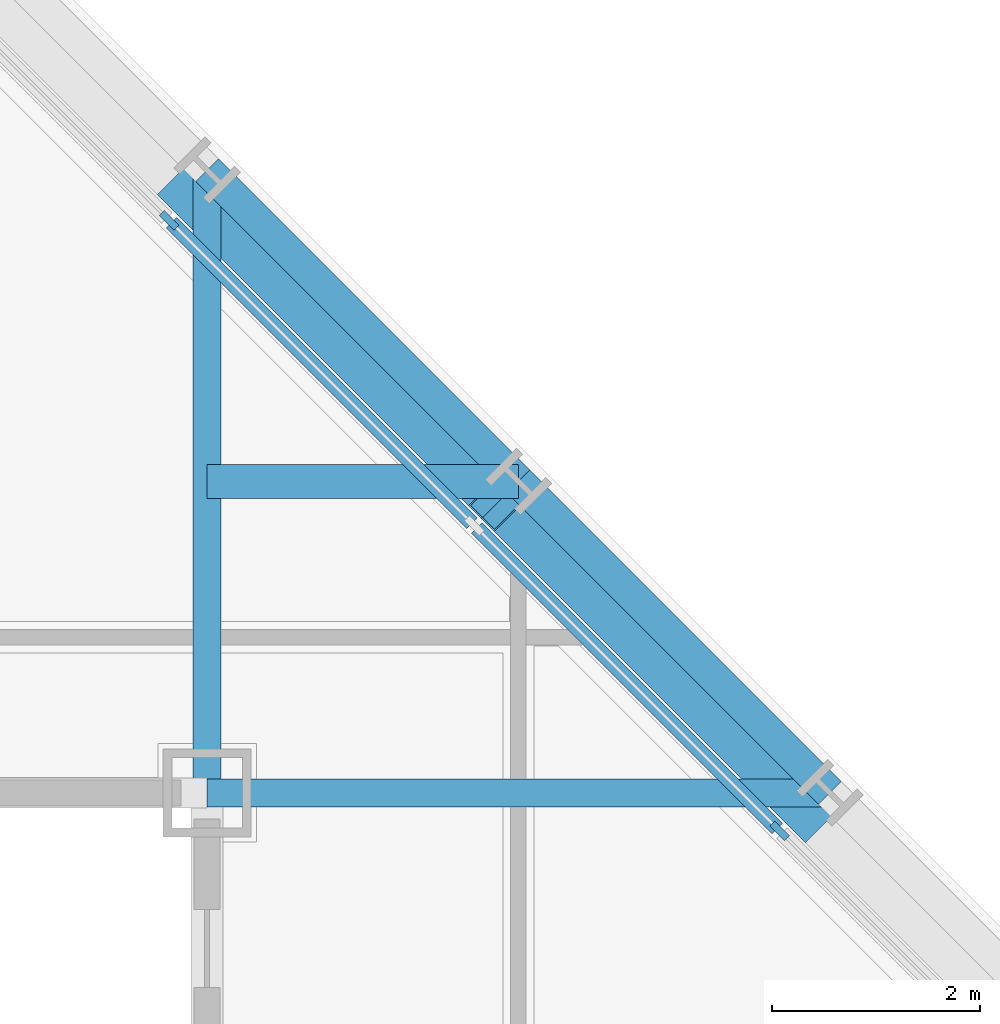
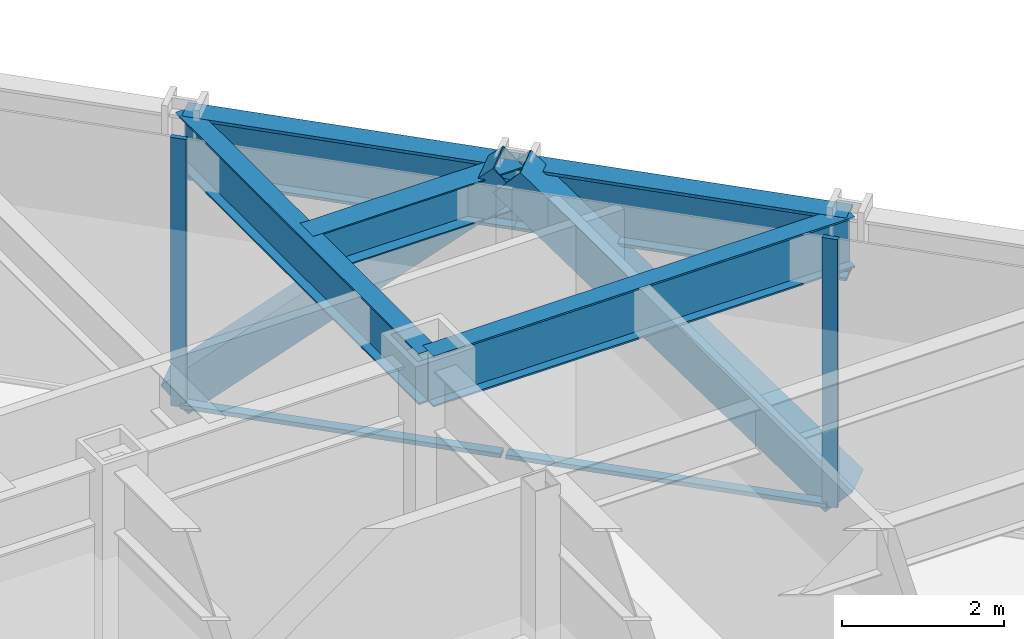
# One storey, part 8 of 16: 6 members, 5 beams, 1 element without a shape of its own.
"""IFC4 building model written with IfcOpenShell, lengths in metres."""

import ifcopenshell
import ifcopenshell.guid

model = None  # the IFC model being written
_history = None  # IfcOwnerHistory: only IFC2X3 demands one
_inside = {}  # id of a spatial element -> (the spatial element, [elements in it])
_under = {}  # id of a project, library or spatial element -> (it, [spatial elements below it])
_declared = {}  # id of a project -> (the project, [libraries it declares])
_typed = {}  # id of a type object -> (the type object, [elements of that type])
_made_of = {}  # id of a material, layer set ... -> (it, [elements and type objects made of it])


def new_model(schema):
    """Start an empty IFC model of exactly this schema.

    Asked for "IFC4X3", IfcOpenShell would pick the latest addendum, in which some entities
    have other attributes; the version numbers below select the first issue.
    IFC2X3 requires an IfcOwnerHistory on every rooted entity: one is made here for all.
    """
    global model, _history
    if schema == "IFC4X3":
        model = ifcopenshell.file(schema_version=(4, 3, 0, 0))
    else:
        model = ifcopenshell.file(schema=schema)
    _inside.clear()
    _under.clear()
    _declared.clear()
    _typed.clear()
    _made_of.clear()
    _history = None
    if model.schema == "IFC2X3":
        org = make("IfcOrganization", Name="unknown")
        user = make(
            "IfcPersonAndOrganization",
            ThePerson=make("IfcPerson", FamilyName="unknown"),
            TheOrganization=org,
        )
        app = make(
            "IfcApplication",
            ApplicationDeveloper=org,
            Version="unknown",
            ApplicationFullName="unknown",
            ApplicationIdentifier="unknown",
        )
        _history = make(
            "IfcOwnerHistory",
            OwningUser=user,
            OwningApplication=app,
            ChangeAction="ADDED",
            CreationDate=0,
        )
    return model


def make(cls, **values):
    """One entity of the class cls with the attributes given. An attribute that is None is left unset."""
    return model.create_entity(
        cls, **{name: value for name, value in values.items() if value is not None}
    )


def rooted(cls, **values):
    """An entity with a GlobalId (a new one), such as an element, a storey or a relation."""
    return make(cls, GlobalId=ifcopenshell.guid.new(), OwnerHistory=_history, **values)


def si_unit(unit_type, name, prefix=None):
    """IfcSIUnit, for example si_unit("LENGTHUNIT", "METRE", prefix="MILLI")."""
    return make("IfcSIUnit", UnitType=unit_type, Prefix=prefix, Name=name)


def assignment(units):
    """IfcUnitAssignment: the units of a project."""
    return None if units is None else make("IfcUnitAssignment", Units=units)


def point(xyz):
    """IfcCartesianPoint."""
    return None if xyz is None else make("IfcCartesianPoint", Coordinates=xyz)


def direction(xyz):
    """IfcDirection."""
    return None if xyz is None else make("IfcDirection", DirectionRatios=xyz)


def frame(location, z_axis=None, x_axis=None):
    """IfcAxis2Placement3D, a coordinate frame: its origin and axes. An axis left out is left unset."""
    return make(
        "IfcAxis2Placement3D",
        Location=point(location),
        Axis=direction(z_axis),
        RefDirection=direction(x_axis),
    )


def frame_2d(location, x_axis=None):
    """IfcAxis2Placement2D, a coordinate frame in the plane: its origin and x axis."""
    return make(
        "IfcAxis2Placement2D", Location=point(location), RefDirection=direction(x_axis)
    )


def origin():
    """The frame at (0, 0, 0) with its axes left unset."""
    return frame((0.0, 0.0, 0.0))


def origin_2d():
    """The frame at (0, 0) in the plane with its x axis left unset."""
    return frame_2d((0.0, 0.0))


def place(relative_to, where):
    """IfcLocalPlacement: puts the frame where relative to a parent placement (None: the world)."""
    return make(
        "IfcLocalPlacement", PlacementRelTo=relative_to, RelativePlacement=where
    )


def context(
    kind, dimensions, precision=None, world=None, true_north=None, identifier=None
):
    """IfcGeometricRepresentationContext, for example the 3D "Model" context."""
    return make(
        "IfcGeometricRepresentationContext",
        ContextIdentifier=identifier,
        ContextType=kind,
        CoordinateSpaceDimension=dimensions,
        Precision=precision,
        WorldCoordinateSystem=world,
        TrueNorth=true_north,
    )


def subcontext(parent, identifier, kind, view, scale=None):
    """IfcGeometricRepresentationSubContext, for example "Body" below "Model"."""
    return make(
        "IfcGeometricRepresentationSubContext",
        ContextIdentifier=identifier,
        ContextType=kind,
        ParentContext=parent,
        TargetScale=scale,
        TargetView=view,
    )


def project(units=None, contexts=None):
    """IfcProject with its units and contexts."""
    return rooted(
        "IfcProject",
        Name="project",
        RepresentationContexts=contexts,
        UnitsInContext=assignment(units),
    )


def spatial(cls, under=None, at=None, **own):
    """A site, building, storey or space (cls), placed at a placement, below another one or the project."""
    s = rooted(cls, ObjectPlacement=at, **own)
    if under is not None:
        _under.setdefault(under.id(), (under, []))[1].append(s)
    return s


def profile(cls, at=None, kind="AREA", **sizes):
    """A parametric profile (cls). Its sizes go by their IFC names, for example OverallWidth=200.0."""
    return make(cls, ProfileType=kind, Position=at, **sizes)


def rectangle(**sizes):
    """IfcRectangleProfileDef."""
    return profile("IfcRectangleProfileDef", **sizes)


def hollow_rectangle(**sizes):
    """IfcRectangleHollowProfileDef."""
    return profile("IfcRectangleHollowProfileDef", **sizes)


def i_section(**sizes):
    """IfcIShapeProfileDef."""
    return profile("IfcIShapeProfileDef", **sizes)


def extrude(swept, where, along, depth):
    """IfcExtrudedAreaSolid: the profile swept, set in the frame where, extruded along a direction by depth."""
    return make(
        "IfcExtrudedAreaSolid",
        SweptArea=swept,
        Position=where,
        ExtrudedDirection=direction(along),
        Depth=depth,
    )


def shape(context_of_items, identifier, shape_type, items):
    """IfcShapeRepresentation: the items that make up one representation, for example the "Body"."""
    return make(
        "IfcShapeRepresentation",
        ContextOfItems=context_of_items,
        RepresentationIdentifier=identifier,
        RepresentationType=shape_type,
        Items=items,
    )


def material(Name=None, Category=None):
    """IfcMaterial."""
    return make("IfcMaterial", Name=Name, Category=Category)


def layer(
    of_material, thickness, ventilated=None, Name=None, Category=None, Priority=None
):
    """IfcMaterialLayer: one layer of a wall or slab, of a material (None: an air gap)."""
    return make(
        "IfcMaterialLayer",
        Material=of_material,
        LayerThickness=thickness,
        IsVentilated=ventilated,
        Name=Name,
        Category=Category,
        Priority=Priority,
    )


def layer_set(layers, Name=None):
    """IfcMaterialLayerSet."""
    return make("IfcMaterialLayerSet", MaterialLayers=layers, LayerSetName=Name)


def material_profile(
    of_material, cross_section, Name=None, Category=None, Priority=None
):
    """IfcMaterialProfile: a cross section and its material."""
    return make(
        "IfcMaterialProfile",
        Name=Name,
        Material=of_material,
        Profile=cross_section,
        Priority=Priority,
        Category=Category,
    )


def profile_set(profiles, Name=None, composite=None):
    """IfcMaterialProfileSet."""
    return make(
        "IfcMaterialProfileSet",
        Name=Name,
        MaterialProfiles=profiles,
        CompositeProfile=composite,
    )


def made_of(thing, what):
    """Note that an element or type object is made of a material, layer set ...; save() writes the relation."""
    if what is not None:
        _made_of.setdefault(what.id(), (what, []))[1].append(thing)
    return thing


def type_object(cls, material=None, **own):
    """A type object (cls), such as IfcWallType, which elements share."""
    return made_of(rooted(cls, **own), material)


def element(
    cls,
    number,
    at=None,
    inside=None,
    cuts=None,
    type_object=None,
    material=None,
    context=None,
    identifier="Body",
    shape_type=None,
    held_by="IfcProductDefinitionShape",
    body=None,
    shapes=None,
    **own,
):
    """One element of the class cls, such as IfcWall. Its Tag is "e" and its number.

    at: its placement. inside: the storey or other place that contains it. cuts: it is an
    opening in that element (IfcRelVoidsElement). A single representation is given by context,
    identifier, shape_type and body (its items); several are given by shapes. held_by: the class
    of the entity that holds the representations. save() writes the other relations.
    """
    e = rooted(cls, Tag="e%d" % number, ObjectPlacement=at, **own)
    if body is not None:
        shapes = [shape(context, identifier, shape_type, body)]
    if shapes is not None:
        e.Representation = make(held_by, Representations=shapes)
    if inside is not None:
        _inside.setdefault(inside.id(), (inside, []))[1].append(e)
    if cuts is not None:
        rooted(
            "IfcRelVoidsElement", RelatingBuildingElement=cuts, RelatedOpeningElement=e
        )
    if type_object is not None:
        _typed.setdefault(type_object.id(), (type_object, []))[1].append(e)
    return made_of(e, material)


def aggregate(whole, parts):
    """IfcRelAggregates: a whole, such as a stair, and the parts it consists of."""
    return rooted("IfcRelAggregates", RelatingObject=whole, RelatedObjects=parts)


def save(model, path):
    """Write the relations noted so far, then the file.

    IfcRelAggregates (storeys below a building ...), IfcRelContainedInSpatialStructure (elements
    in a storey), IfcRelDefinesByType, IfcRelAssociatesMaterial and IfcRelDeclares: one each for
    every whole, place, type object, material and project.
    """
    for whole, parts in _under.values():
        aggregate(whole, parts)
    for where, things in _inside.values():
        rooted(
            "IfcRelContainedInSpatialStructure",
            RelatedElements=things,
            RelatingStructure=where,
        )
    for kind, things in _typed.values():
        rooted("IfcRelDefinesByType", RelatedObjects=things, RelatingType=kind)
    for what, things in _made_of.values():
        rooted("IfcRelAssociatesMaterial", RelatedObjects=things, RelatingMaterial=what)
    for by, libraries in _declared.values():
        rooted("IfcRelDeclares", RelatingContext=by, RelatedDefinitions=libraries)
    model.write(path)


model = new_model("IFC4")

# Units and contexts
model_context = context("Model", 3, precision=1e-05, world=origin(), true_north=direction((0.0, 1.0)))
body_context = subcontext(model_context, "Body", "Model", "MODEL_VIEW")
ifc_project = project(units=[si_unit("LENGTHUNIT", "METRE"), si_unit("AREAUNIT", "SQUARE_METRE"), si_unit("VOLUMEUNIT", "CUBIC_METRE"), si_unit("PLANEANGLEUNIT", "RADIAN"), si_unit("MASSUNIT", "GRAM", prefix="KILO")], contexts=[model_context])

# Site, building, storey
site_placement = place(None, origin())
site = spatial("IfcSite", under=ifc_project, at=site_placement, CompositionType="ELEMENT")
building_placement = place(site_placement, origin())
building = spatial("IfcBuilding", under=site, at=building_placement, Name="Chuquiago Exchange Tower", CompositionType="ELEMENT")
storey_placement = place(building_placement, frame((0.0, 0.0, 148.800048828125)))
storey = spatial("IfcBuildingStorey", under=building, at=storey_placement, Name="L32", CompositionType="ELEMENT", Elevation=148.800048828125)

# Beam
ifc_material_1 = material(Name="Steel ASTM A992", Category="steel")
ifc_material_profile_1 = material_profile(ifc_material_1, i_section(OverallWidth=0.3251953125, OverallDepth=0.612060546875, WebThickness=0.0126953125, FlangeThickness=0.01904296875, at=origin_2d()), Name="W24X104")
ifc_profile_set_1 = profile_set([ifc_material_profile_1], Name="Steel ASTM A992")
beam_type_1 = type_object("IfcBeamType", Name="B2 W24X104", PredefinedType="BEAM", material=ifc_profile_set_1)
beam_placement = place(storey_placement, frame((33.0, 36.0, 3.73388671875), z_axis=(1.0, 0.0, 0.0), x_axis=(0.0, 1.0, 0.0)))
element("IfcBeam", 1, at=beam_placement, inside=storey, type_object=beam_type_1, Name="FB-L33-corner-33_36-36_36-0", PredefinedType="BEAM", context=body_context, shape_type="SweptSolid", body=[
    extrude(i_section(OverallWidth=0.3251953125, OverallDepth=0.612060546875, WebThickness=0.0126953125, FlangeThickness=0.01904296875, at=origin_2d()), origin(), (0.0, 0.0, 1.0), 3.0),
])

# Curtain wall, members
ifc_material_2 = material(Name="Aluminium curtain wall system", Category="aluminium")
ifc_layer = layer(ifc_material_2, 0.199951171875)
ifc_layer_set = layer_set([ifc_layer], Name="CW3 facet curtain wall")
curtain_wall_type = type_object("IfcCurtainWallType", Name="CW3 facet curtain wall", PredefinedType="NOTDEFINED", material=ifc_layer_set)
curtain_wall_placement = place(storey_placement, origin())
curtain_wall = element("IfcCurtainWall", 2, at=curtain_wall_placement, inside=storey, type_object=curtain_wall_type, Name="CW3 curtain wall L32", PredefinedType="NOTDEFINED")
ifc_material_3 = material(Name="Aluminium mullion, pale anodised", Category="aluminium")
ifc_material_profile_2 = material_profile(ifc_material_3, rectangle(XDim=0.06494140625, YDim=0.199951171875, at=origin_2d()), Name="AL 65x200")
ifc_profile_set_2 = profile_set([ifc_material_profile_2], Name="Aluminium mullion, pale anodised")
member_type_1 = type_object("IfcMemberType", Name="CW3-M mullion 65x200", PredefinedType="MULLION", material=ifc_profile_set_2)
member_1_placement = place(storey_placement, frame((38.51708984375, 32.63427734375, 0.0), z_axis=(0.0, 0.0, 1.0), x_axis=(-0.707106781187, -0.707106781187, 0.0)))
member_1 = element("IfcMember", 3, at=member_1_placement, type_object=member_type_1, Name="CW3 mullion 3", PredefinedType="MULLION", context=body_context, shape_type="SweptSolid", body=[
    extrude(rectangle(XDim=0.06494140625, YDim=0.199951171875, at=origin_2d()), origin(), (0.0, 0.0, 1.0), 4.0400390625),
])
member_2_placement = place(storey_placement, frame((32.63427734375, 38.51708984375, 0.0), z_axis=(0.0, 0.0, 1.0), x_axis=(-0.707106781187, -0.707106781187, 0.0)))
member_2 = element("IfcMember", 4, at=member_2_placement, type_object=member_type_1, Name="CW3 mullion 5", PredefinedType="MULLION", context=body_context, shape_type="SweptSolid", body=[
    extrude(rectangle(XDim=0.06494140625, YDim=0.199951171875, at=origin_2d()), origin(), (0.0, 0.0, 1.0), 4.0400390625),
])
ifc_material_4 = material(Name="Aluminium transom, pale anodised", Category="aluminium")
ifc_material_profile_3 = material_profile(ifc_material_4, rectangle(XDim=0.139892578125, YDim=0.06494140625, at=origin_2d()), Name="AL 140x65")
ifc_profile_set_3 = profile_set([ifc_material_profile_3], Name="Aluminium transom, pale anodised")
member_type_2 = type_object("IfcMemberType", Name="CW3-T transom 65x140", PredefinedType="MULLION", material=ifc_profile_set_3)
member_3_placement = place(storey_placement, frame((38.494140625, 32.6572265625, 0.032470703125), z_axis=(-0.707106781187, 0.707106781187, 0.0), x_axis=(-0.707106781187, -0.707106781187, 0.0)))
member_3 = element("IfcMember", 5, at=member_3_placement, type_object=member_type_2, Name="CW3 transom 3.1", PredefinedType="MULLION", context=body_context, shape_type="SweptSolid", body=[
    extrude(rectangle(XDim=0.139892578125, YDim=0.06494140625, at=origin_2d()), origin(), (0.0, 0.0, 1.0), 4.094970703125),
])
member_4_placement = place(storey_placement, frame((35.552734375, 35.5986328125, 0.032470703125), z_axis=(-0.707106781187, 0.707106781187, 0.0), x_axis=(-0.707106781187, -0.707106781187, 0.0)))
member_4 = element("IfcMember", 6, at=member_4_placement, type_object=member_type_2, Name="CW3 transom 4.1", PredefinedType="MULLION", context=body_context, shape_type="SweptSolid", body=[
    extrude(rectangle(XDim=0.139892578125, YDim=0.06494140625, at=origin_2d()), origin(), (0.0, 0.0, 1.0), 4.094970703125),
])
aggregate(curtain_wall, [member_1, member_2, member_3, member_4])

# Beams
ifc_material_5 = material(Name="Steel ASTM A992", Category="steel")
ifc_material_profile_4 = material_profile(ifc_material_5, i_section(OverallWidth=0.2666015625, OverallDepth=0.76953125, WebThickness=0.015625, FlangeThickness=0.025390625, at=origin_2d()), Name="W30X132")
ifc_profile_set_4 = profile_set([ifc_material_profile_4], Name="Steel ASTM A992")
beam_type_2 = type_object("IfcBeamType", Name="G1 W30X132", PredefinedType="BEAM", material=ifc_profile_set_4)
for number, where, z_axis, x_axis, name in (
    (7, (33.0, 33.0, 3.655029296875), (0.0, 1.0, 0.0), (-1.0, 0.0, 0.0), "FB-L33-girder-33_33-33_39-0"),
    (8, (33.0, 33.0, 3.655029296875), (1.0, 0.0, 0.0), (0.0, 1.0, 0.0), "FB-L33-girder-33_33-39_33-0"),
):
    element("IfcBeam", number, at=place(storey_placement, frame(where, z_axis=z_axis, x_axis=x_axis)), inside=storey, type_object=beam_type_2, Name=name, PredefinedType="BEAM", context=body_context, shape_type="SweptSolid", body=[
        extrude(i_section(OverallWidth=0.2666015625, OverallDepth=0.76953125, WebThickness=0.015625, FlangeThickness=0.025390625, at=origin_2d()), origin(), (0.0, 0.0, 1.0), 6.0),
    ])

# Members
ifc_material_6 = material(Name="Steel ASTM A500 Grade C", Category="steel")
ifc_material_profile_5 = material_profile(ifc_material_6, hollow_rectangle(XDim=0.508056640625, YDim=0.508056640625, WallThickness=0.017822265625, at=origin_2d()), Name="HSS20X20X3/4")
ifc_profile_set_5 = profile_set([ifc_material_profile_5], Name="Steel ASTM A500 Grade C")
member_type_3 = type_object("IfcMemberType", Name="LB1 HSS20X20X3/4", PredefinedType="BRACE", material=ifc_profile_set_5)
for number, where, z_axis, x_axis, name in (
    (9, (38.822509765625, 32.822509765625, 0.0), (-0.512077265487, 0.512077265487, 0.689604051861), (-0.707106781187, -0.707106781187, 0.0), "LB-L32-39_33-36_36"),
    (10, (32.822509765625, 38.822509765625, 0.0), (0.512077265487, -0.512077265487, 0.689604051861), (0.707106781187, 0.707106781187, 0.0), "LB-L32-36_36-33_39"),
):
    element("IfcMember", number, at=place(storey_placement, frame(where, z_axis=z_axis, x_axis=x_axis)), inside=storey, type_object=member_type_3, Name=name, PredefinedType="BRACE", context=body_context, shape_type="SweptSolid", body=[
        extrude(hollow_rectangle(XDim=0.508056640625, YDim=0.508056640625, WallThickness=0.017822265625, at=origin_2d()), origin(), (0.0, 0.0, 1.0), 5.8583984375),
    ])

# Beams
ifc_material_7 = material(Name="Steel ASTM A992", Category="steel")
ifc_material_profile_6 = material_profile(ifc_material_7, i_section(OverallWidth=0.309814453125, OverallDepth=0.949951171875, WebThickness=0.0244140625, FlangeThickness=0.0439453125, at=origin_2d()), Name="W36X256")
ifc_profile_set_6 = profile_set([ifc_material_profile_6], Name="Steel ASTM A992")
beam_type_3 = type_object("IfcBeamType", Name="SP2 W36X256", PredefinedType="SPANDREL", material=ifc_profile_set_6)
for number, where, z_axis, x_axis, name in (
    (11, (39.0, 33.0, 3.56494140625), (-0.707106781187, 0.707106781187, 0.0), (-0.707106781187, -0.707106781187, 0.0), "SPB-L33-39_33-36_36"),
    (12, (36.0, 36.0, 3.56494140625), (-0.707106781187, 0.707106781187, 0.0), (-0.707106781187, -0.707106781187, 0.0), "SPB-L33-36_36-33_39"),
):
    element("IfcBeam", number, at=place(storey_placement, frame(where, z_axis=z_axis, x_axis=x_axis)), inside=storey, type_object=beam_type_3, Name=name, PredefinedType="SPANDREL", context=body_context, shape_type="SweptSolid", body=[
        extrude(i_section(OverallWidth=0.309814453125, OverallDepth=0.949951171875, WebThickness=0.0244140625, FlangeThickness=0.0439453125, at=origin_2d()), origin(), (0.0, 0.0, 1.0), 4.24267578125),
    ])

save(model, "model.ifc")
